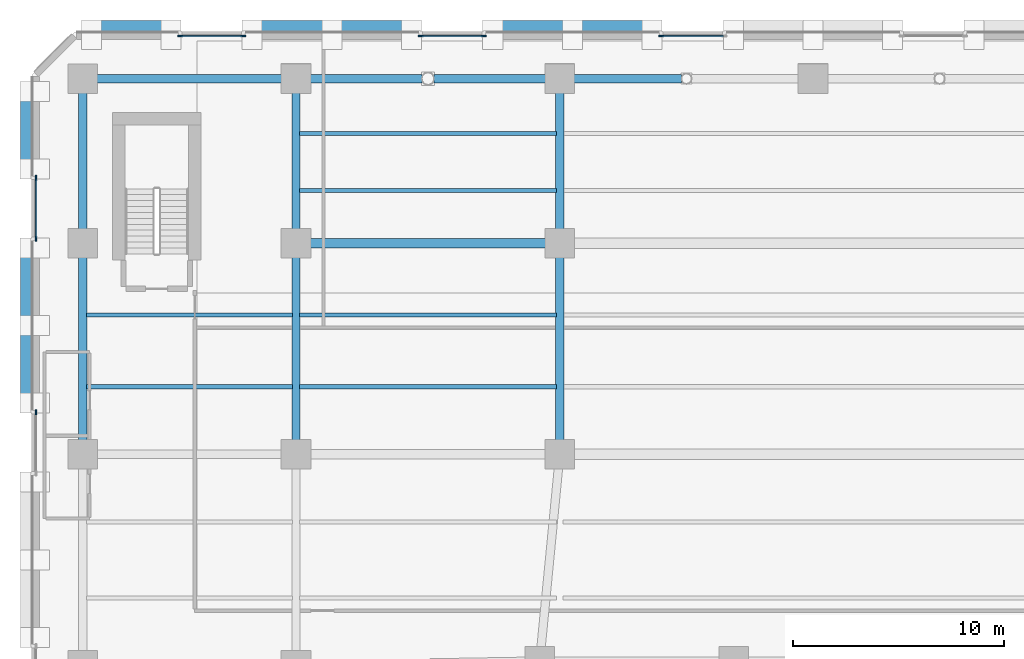
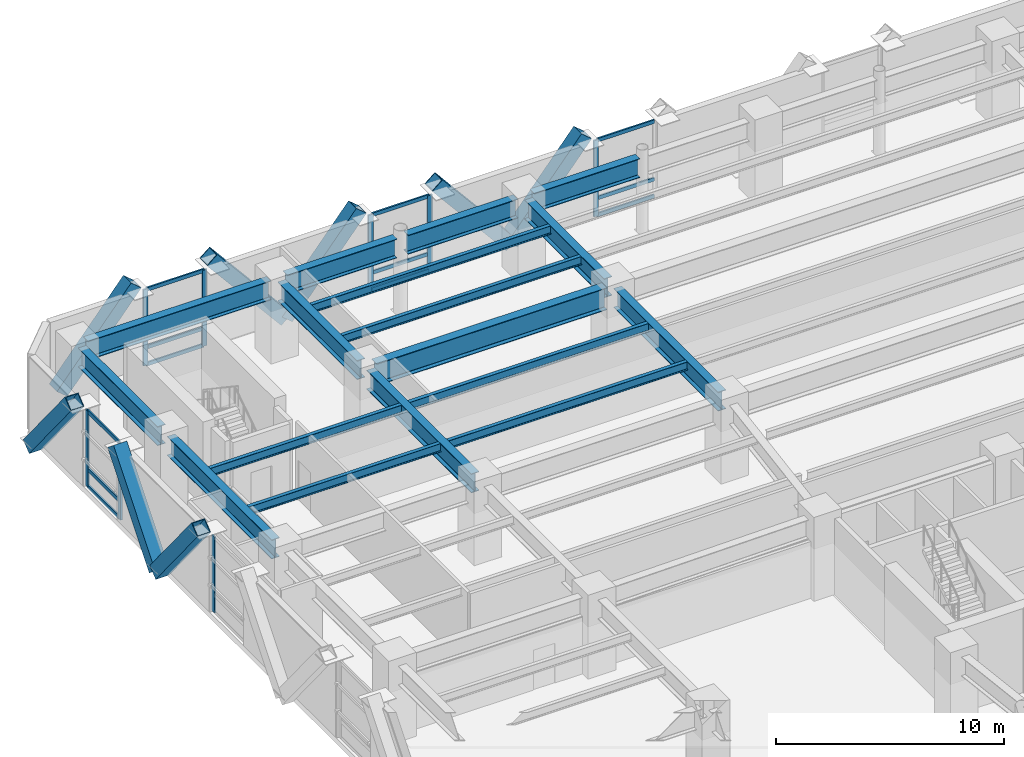
# One storey, part 8 of 26: 28 members, 17 beams, 5 elements without a shape of their own.
"""IFC4 building model written with IfcOpenShell, lengths in metres."""

from ifc_helpers import new_model, si_unit, direction, frame, origin, origin_2d, place, context, subcontext, project, spatial, rectangle, hollow_rectangle, i_section, extrude, material, material_profile, profile_set, type_object, element, aggregate, save


model = new_model("IFC4")

# Units and contexts
model_context = context("Model", 3, precision=1e-05, world=origin(), true_north=direction((0.0, 1.0)))
body_context = subcontext(model_context, "Body", "Model", "MODEL_VIEW")
ifc_project = project(units=[si_unit("LENGTHUNIT", "METRE"), si_unit("AREAUNIT", "SQUARE_METRE"), si_unit("VOLUMEUNIT", "CUBIC_METRE"), si_unit("PLANEANGLEUNIT", "RADIAN"), si_unit("MASSUNIT", "GRAM", prefix="KILO")], contexts=[model_context])

# Site, building, storey
site_placement = place(None, origin())
site = spatial("IfcSite", under=ifc_project, at=site_placement, CompositionType="ELEMENT")
building_placement = place(site_placement, origin())
building = spatial("IfcBuilding", under=site, at=building_placement, Name="Quenlor Broadcast Tower", CompositionType="ELEMENT")
storey_placement = place(building_placement, frame((0.0, 0.0, 18.5)))
storey = spatial("IfcBuildingStorey", under=building, at=storey_placement, Name="L04", CompositionType="ELEMENT", Elevation=18.5)

# Curtain wall, members
ifc_material_1 = material(Name="Architectural Terracotta and Low-E Glazing", Category="masonry")
curtain_wall_type = type_object("IfcCurtainWallType", Name="Station Concourse and Crown Terracotta Curtain Wall", PredefinedType="NOTDEFINED", material=ifc_material_1)
curtain_wall_1_placement = place(storey_placement, origin())
curtain_wall_1 = element("IfcCurtainWall", 1, at=curtain_wall_1_placement, inside=storey, type_object=curtain_wall_type, Name="L04 Curtain Wall CW6 (L04-N-FULL-G1)", PredefinedType="NOTDEFINED")
ifc_material_2 = material(Name="Aluminium 6063-T6", Category="aluminium")
ifc_material_profile_1 = material_profile(ifc_material_2, rectangle(XDim=0.08203125, YDim=0.239990234375, at=origin_2d()))
ifc_profile_set_1 = profile_set([ifc_material_profile_1], Name="Aluminium 6063-T6 MULL82x240")
member_type_1 = type_object("IfcMemberType", Name="CW6 Aluminium Mullion MULL_CW6", PredefinedType="MULLION", material=ifc_profile_set_1)
member_1_placement = place(storey_placement, frame((-29.993896484375, 24.820068359375, 0.0), z_axis=(0.0, 0.0, 1.0), x_axis=(0.0, 1.0, 0.0)))
member_1 = element("IfcMember", 2, at=member_1_placement, type_object=member_type_1, Name="CW6 mullion 1", PredefinedType="MULLION", context=body_context, shape_type="SweptSolid", body=[
    extrude(rectangle(XDim=0.08203125, YDim=0.239990234375, at=origin_2d()), origin(), (0.0, 0.0, 1.0), 4.080078125),
])
member_2_placement = place(storey_placement, frame((-27.006103515625, 24.820068359375, 0.0), z_axis=(0.0, 0.0, 1.0), x_axis=(0.0, 1.0, 0.0)))
member_2 = element("IfcMember", 3, at=member_2_placement, type_object=member_type_1, Name="CW6 mullion 2", PredefinedType="MULLION", context=body_context, shape_type="SweptSolid", body=[
    extrude(rectangle(XDim=0.08203125, YDim=0.239990234375, at=origin_2d()), origin(), (0.0, 0.0, 1.0), 4.080078125),
])

curtain_wall_2_placement = place(storey_placement, origin())
curtain_wall_2 = element("IfcCurtainWall", 4, at=curtain_wall_2_placement, inside=storey, type_object=curtain_wall_type, Name="L04 Curtain Wall CW6 (L04-N-FULL-G2)", PredefinedType="NOTDEFINED")
member_3_placement = place(storey_placement, frame((-18.593994140625, 24.820068359375, 0.0), z_axis=(0.0, 0.0, 1.0), x_axis=(0.0, 1.0, 0.0)))
member_3 = element("IfcMember", 5, at=member_3_placement, type_object=member_type_1, Name="CW6 mullion 1", PredefinedType="MULLION", context=body_context, shape_type="SweptSolid", body=[
    extrude(rectangle(XDim=0.08203125, YDim=0.239990234375, at=origin_2d()), origin(), (0.0, 0.0, 1.0), 4.080078125),
])
member_4_placement = place(storey_placement, frame((-15.606201171875, 24.820068359375, 0.0), z_axis=(0.0, 0.0, 1.0), x_axis=(0.0, 1.0, 0.0)))
member_4 = element("IfcMember", 6, at=member_4_placement, type_object=member_type_1, Name="CW6 mullion 2", PredefinedType="MULLION", context=body_context, shape_type="SweptSolid", body=[
    extrude(rectangle(XDim=0.08203125, YDim=0.239990234375, at=origin_2d()), origin(), (0.0, 0.0, 1.0), 4.080078125),
])

# Curtain wall, member
curtain_wall_3_placement = place(storey_placement, origin())
curtain_wall_3 = element("IfcCurtainWall", 7, at=curtain_wall_3_placement, inside=storey, type_object=curtain_wall_type, Name="L04 Curtain Wall CW6 (L04-N-FULL-G3)", PredefinedType="NOTDEFINED")
member_5_placement = place(storey_placement, frame((-7.19384765625, 24.820068359375, 0.0), z_axis=(0.0, 0.0, 1.0), x_axis=(0.0, 1.0, 0.0)))
member_5 = element("IfcMember", 8, at=member_5_placement, type_object=member_type_1, Name="CW6 mullion 1", PredefinedType="MULLION", context=body_context, shape_type="SweptSolid", body=[
    extrude(rectangle(XDim=0.08203125, YDim=0.239990234375, at=origin_2d()), origin(), (0.0, 0.0, 1.0), 4.080078125),
])

curtain_wall_4_placement = place(storey_placement, origin())
curtain_wall_4 = element("IfcCurtainWall", 9, at=curtain_wall_4_placement, inside=storey, type_object=curtain_wall_type, Name="L04 Curtain Wall CW6 (L04-W-FULL-G3)", PredefinedType="NOTDEFINED")
member_6_placement = place(storey_placement, frame((-36.820068359375, 6.99365234375, 0.0), z_axis=(0.0, 0.0, 1.0), x_axis=(-1.0, 0.0, 0.0)))
member_6 = element("IfcMember", 10, at=member_6_placement, type_object=member_type_1, Name="CW6 mullion 2", PredefinedType="MULLION", context=body_context, shape_type="SweptSolid", body=[
    extrude(rectangle(XDim=0.08203125, YDim=0.239990234375, at=origin_2d()), origin(), (0.0, 0.0, 1.0), 4.080078125),
])
aggregate(curtain_wall_4, [member_6])

# Curtain wall, members
curtain_wall_5_placement = place(storey_placement, origin())
curtain_wall_5 = element("IfcCurtainWall", 11, at=curtain_wall_5_placement, inside=storey, type_object=curtain_wall_type, Name="L04 Curtain Wall CW6 (L04-W-FULL-G4)", PredefinedType="NOTDEFINED")
member_7_placement = place(storey_placement, frame((-36.820068359375, 15.206298828125, 0.0), z_axis=(0.0, 0.0, 1.0), x_axis=(-1.0, 0.0, 0.0)))
member_7 = element("IfcMember", 12, at=member_7_placement, type_object=member_type_1, Name="CW6 mullion 1", PredefinedType="MULLION", context=body_context, shape_type="SweptSolid", body=[
    extrude(rectangle(XDim=0.08203125, YDim=0.239990234375, at=origin_2d()), origin(), (0.0, 0.0, 1.0), 4.080078125),
])
member_8_placement = place(storey_placement, frame((-36.820068359375, 18.093505859375, 0.0), z_axis=(0.0, 0.0, 1.0), x_axis=(-1.0, 0.0, 0.0)))
member_8 = element("IfcMember", 13, at=member_8_placement, type_object=member_type_1, Name="CW6 mullion 2", PredefinedType="MULLION", context=body_context, shape_type="SweptSolid", body=[
    extrude(rectangle(XDim=0.08203125, YDim=0.239990234375, at=origin_2d()), origin(), (0.0, 0.0, 1.0), 4.080078125),
])

# Member
ifc_material_3 = material(Name="Aluminium 6063-T6", Category="aluminium")
ifc_material_profile_2 = material_profile(ifc_material_3, rectangle(XDim=0.08203125, YDim=0.195068359375, at=origin_2d()))
ifc_profile_set_2 = profile_set([ifc_material_profile_2], Name="Aluminium 6063-T6 TRAN82x195")
member_type_2 = type_object("IfcMemberType", Name="CW6 Aluminium Transom TRAN_CW6", PredefinedType="USERDEFINED", material=ifc_profile_set_2)
member_9_placement = place(storey_placement, frame((-29.952880859375, 24.820068359375, 0.041015625), z_axis=(1.0, 0.0, 0.0), x_axis=(0.0, 1.0, 0.0)))
member_9 = element("IfcMember", 14, at=member_9_placement, type_object=member_type_2, Name="CW6 transom 1.1", ObjectType="TRANSOM", PredefinedType="USERDEFINED", context=body_context, shape_type="SweptSolid", body=[
    extrude(rectangle(XDim=0.08203125, YDim=0.195068359375, at=origin_2d()), origin(), (0.0, 0.0, 1.0), 2.90576171875),
])

member_10_placement = place(storey_placement, frame((-29.952880859375, 24.820068359375, 0.949951171875), z_axis=(1.0, 0.0, 0.0), x_axis=(0.0, 1.0, 0.0)))
member_10 = element("IfcMember", 15, at=member_10_placement, type_object=member_type_2, Name="CW6 transom 1.2", ObjectType="TRANSOM", PredefinedType="USERDEFINED", context=body_context, shape_type="SweptSolid", body=[
    extrude(rectangle(XDim=0.08203125, YDim=0.195068359375, at=origin_2d()), origin(), (0.0, 0.0, 1.0), 2.90576171875),
])

member_11_placement = place(storey_placement, frame((-29.952880859375, 24.820068359375, 4.0390625), z_axis=(1.0, 0.0, 0.0), x_axis=(0.0, 1.0, 0.0)))
member_11 = element("IfcMember", 16, at=member_11_placement, type_object=member_type_2, Name="CW6 transom 1.3", ObjectType="TRANSOM", PredefinedType="USERDEFINED", context=body_context, shape_type="SweptSolid", body=[
    extrude(rectangle(XDim=0.08203125, YDim=0.195068359375, at=origin_2d()), origin(), (0.0, 0.0, 1.0), 2.90576171875),
])

aggregate(curtain_wall_1, [member_1, member_2, member_9, member_10, member_11])

member_12_placement = place(storey_placement, frame((-18.552978515625, 24.820068359375, 0.041015625), z_axis=(1.0, 0.0, 0.0), x_axis=(0.0, 1.0, 0.0)))
member_12 = element("IfcMember", 17, at=member_12_placement, type_object=member_type_2, Name="CW6 transom 1.1", ObjectType="TRANSOM", PredefinedType="USERDEFINED", context=body_context, shape_type="SweptSolid", body=[
    extrude(rectangle(XDim=0.08203125, YDim=0.195068359375, at=origin_2d()), origin(), (0.0, 0.0, 1.0), 2.90576171875),
])

member_13_placement = place(storey_placement, frame((-18.552978515625, 24.820068359375, 0.949951171875), z_axis=(1.0, 0.0, 0.0), x_axis=(0.0, 1.0, 0.0)))
member_13 = element("IfcMember", 18, at=member_13_placement, type_object=member_type_2, Name="CW6 transom 1.2", ObjectType="TRANSOM", PredefinedType="USERDEFINED", context=body_context, shape_type="SweptSolid", body=[
    extrude(rectangle(XDim=0.08203125, YDim=0.195068359375, at=origin_2d()), origin(), (0.0, 0.0, 1.0), 2.90576171875),
])

member_14_placement = place(storey_placement, frame((-18.552978515625, 24.820068359375, 4.0390625), z_axis=(1.0, 0.0, 0.0), x_axis=(0.0, 1.0, 0.0)))
member_14 = element("IfcMember", 19, at=member_14_placement, type_object=member_type_2, Name="CW6 transom 1.3", ObjectType="TRANSOM", PredefinedType="USERDEFINED", context=body_context, shape_type="SweptSolid", body=[
    extrude(rectangle(XDim=0.08203125, YDim=0.195068359375, at=origin_2d()), origin(), (0.0, 0.0, 1.0), 2.90576171875),
])

aggregate(curtain_wall_2, [member_3, member_4, member_12, member_13, member_14])

member_15_placement = place(storey_placement, frame((-7.15283203125, 24.820068359375, 0.041015625), z_axis=(1.0, 0.0, 0.0), x_axis=(0.0, 1.0, 0.0)))
member_15 = element("IfcMember", 20, at=member_15_placement, type_object=member_type_2, Name="CW6 transom 1.1", ObjectType="TRANSOM", PredefinedType="USERDEFINED", context=body_context, shape_type="SweptSolid", body=[
    extrude(rectangle(XDim=0.08203125, YDim=0.195068359375, at=origin_2d()), origin(), (0.0, 0.0, 1.0), 2.90576171875),
])

member_16_placement = place(storey_placement, frame((-7.15283203125, 24.820068359375, 0.949951171875), z_axis=(1.0, 0.0, 0.0), x_axis=(0.0, 1.0, 0.0)))
member_16 = element("IfcMember", 21, at=member_16_placement, type_object=member_type_2, Name="CW6 transom 1.2", ObjectType="TRANSOM", PredefinedType="USERDEFINED", context=body_context, shape_type="SweptSolid", body=[
    extrude(rectangle(XDim=0.08203125, YDim=0.195068359375, at=origin_2d()), origin(), (0.0, 0.0, 1.0), 2.90576171875),
])

member_17_placement = place(storey_placement, frame((-7.15283203125, 24.820068359375, 4.0390625), z_axis=(1.0, 0.0, 0.0), x_axis=(0.0, 1.0, 0.0)))
member_17 = element("IfcMember", 22, at=member_17_placement, type_object=member_type_2, Name="CW6 transom 1.3", ObjectType="TRANSOM", PredefinedType="USERDEFINED", context=body_context, shape_type="SweptSolid", body=[
    extrude(rectangle(XDim=0.08203125, YDim=0.195068359375, at=origin_2d()), origin(), (0.0, 0.0, 1.0), 2.90576171875),
])

aggregate(curtain_wall_3, [member_5, member_15, member_16, member_17])

member_18_placement = place(storey_placement, frame((-36.820068359375, 15.247314453125, 0.041015625), z_axis=(0.0, 1.0, 0.0), x_axis=(-1.0, 0.0, 0.0)))
member_18 = element("IfcMember", 23, at=member_18_placement, type_object=member_type_2, Name="CW6 transom 1.1", ObjectType="TRANSOM", PredefinedType="USERDEFINED", context=body_context, shape_type="SweptSolid", body=[
    extrude(rectangle(XDim=0.08203125, YDim=0.195068359375, at=origin_2d()), origin(), (0.0, 0.0, 1.0), 2.80517578125),
])

member_19_placement = place(storey_placement, frame((-36.820068359375, 15.247314453125, 0.949951171875), z_axis=(0.0, 1.0, 0.0), x_axis=(-1.0, 0.0, 0.0)))
member_19 = element("IfcMember", 24, at=member_19_placement, type_object=member_type_2, Name="CW6 transom 1.2", ObjectType="TRANSOM", PredefinedType="USERDEFINED", context=body_context, shape_type="SweptSolid", body=[
    extrude(rectangle(XDim=0.08203125, YDim=0.195068359375, at=origin_2d()), origin(), (0.0, 0.0, 1.0), 2.80517578125),
])

member_20_placement = place(storey_placement, frame((-36.820068359375, 15.247314453125, 4.0390625), z_axis=(0.0, 1.0, 0.0), x_axis=(-1.0, 0.0, 0.0)))
member_20 = element("IfcMember", 25, at=member_20_placement, type_object=member_type_2, Name="CW6 transom 1.3", ObjectType="TRANSOM", PredefinedType="USERDEFINED", context=body_context, shape_type="SweptSolid", body=[
    extrude(rectangle(XDim=0.08203125, YDim=0.195068359375, at=origin_2d()), origin(), (0.0, 0.0, 1.0), 2.80517578125),
])

aggregate(curtain_wall_5, [member_7, member_8, member_18, member_19, member_20])

# Members
ifc_material_4 = material(Name="Steel S355", Category="steel")
ifc_material_profile_3 = material_profile(ifc_material_4, hollow_rectangle(XDim=0.679931640625, YDim=0.679931640625, WallThickness=0.034912109375, at=origin_2d()))
ifc_profile_set_3 = profile_set([ifc_material_profile_3], Name="Steel S355 RHS680x680x35")
member_type_3 = type_object("IfcMemberType", Name="Perimeter Diagonal Lattice Brace Z1 Steel S355 RHS680x35", PredefinedType="BRACE", material=ifc_profile_set_3)
for number, where, z_axis, x_axis, name in (
    (26, (-34.17724609375, 25.215087890625, -0.1201171875), (0.640626831312, 0.0, 0.767852370578), (0.0, 1.0, 0.0), "L04 Podium Diamond Lattice N-P1S"),
    (27, (-22.82275390625, 25.215087890625, -0.1201171875), (-0.640626831312, 0.0, 0.767852370578), (0.0, -1.0, 0.0), "L04 Podium Diamond Lattice N-P1B"),
    (28, (-22.777099609375, 25.215087890625, -0.1201171875), (0.640626831312, 0.0, 0.767852370578), (0.0, 1.0, 0.0), "L04 Podium Diamond Lattice N-P2S"),
    (29, (-11.4228515625, 25.215087890625, -0.1201171875), (-0.640626831312, 0.0, 0.767852370578), (0.0, -1.0, 0.0), "L04 Podium Diamond Lattice N-P2B"),
    (30, (-11.377197265625, 25.215087890625, -0.1201171875), (0.640626831312, 0.0, 0.767852370578), (0.0, 1.0, 0.0), "L04 Podium Diamond Lattice N-P3S"),
):
    element("IfcMember", number, at=place(storey_placement, frame(where, z_axis=z_axis, x_axis=x_axis)), inside=storey, type_object=member_type_3, Name=name, PredefinedType="BRACE", context=body_context, shape_type="SweptSolid", body=[
        extrude(hollow_rectangle(XDim=0.679931640625, YDim=0.679931640625, WallThickness=0.034912109375, at=origin_2d()), origin(), (0.0, 0.0, 1.0), 5.860595703125),
    ])
member_21_placement = place(storey_placement, frame((-37.215087890625, 11.077880859375, -0.1201171875), z_axis=(0.0, -0.630541894648, 0.776155215851), x_axis=(1.0, 0.0, 0.0)))
element("IfcMember", 31, at=member_21_placement, inside=storey, type_object=member_type_3, Name="L04 Podium Diamond Lattice W-P3B", PredefinedType="BRACE", context=body_context, shape_type="SweptSolid", body=[
    extrude(hollow_rectangle(XDim=0.679931640625, YDim=0.679931640625, WallThickness=0.034912109375, at=origin_2d()), origin(), (0.0, 0.0, 1.0), 5.7978515625),
])
for number, where, z_axis, x_axis, name in (
    (32, (-37.215087890625, 11.122314453125, -0.1201171875), (0.0, 0.630516526394, 0.776175824117), (-1.0, 0.0, 0.0), "L04 Podium Diamond Lattice W-P4S"),
    (33, (-37.215087890625, 22.177734375, -0.1201171875), (0.0, -0.630516526394, 0.776175824117), (1.0, 0.0, 0.0), "L04 Podium Diamond Lattice W-P4B"),
):
    element("IfcMember", number, at=place(storey_placement, frame(where, z_axis=z_axis, x_axis=x_axis)), inside=storey, type_object=member_type_3, Name=name, PredefinedType="BRACE", context=body_context, shape_type="SweptSolid", body=[
        extrude(hollow_rectangle(XDim=0.679931640625, YDim=0.679931640625, WallThickness=0.034912109375, at=origin_2d()), origin(), (0.0, 0.0, 1.0), 5.797607421875),
    ])

# Beams
ifc_material_5 = material(Name="Steel S355", Category="steel")
ifc_material_profile_4 = material_profile(ifc_material_5, i_section(OverallWidth=0.39990234375, OverallDepth=1.02392578125, WebThickness=0.01611328125, FlangeThickness=0.031982421875, FilletRadius=0.01611328125, at=origin_2d()))
ifc_profile_set_4 = profile_set([ifc_material_profile_4], Name="Steel S355 1000WB322")
beam_type_1 = type_object("IfcBeamType", Name="Podium Concourse Girder Steel S355 1000WB322", PredefinedType="BEAM", material=ifc_profile_set_4)
beam_1_placement = place(storey_placement, frame((-34.179931640625, 22.800048828125, 3.568115234375), z_axis=(1.0, 0.0, 0.0), x_axis=(0.0, 1.0, 0.0)))
element("IfcBeam", 34, at=beam_1_placement, inside=storey, type_object=beam_type_1, Name="L04 Podium Girder 24", PredefinedType="BEAM", context=body_context, shape_type="SweptSolid", body=[
    extrude(i_section(OverallWidth=0.39990234375, OverallDepth=1.02392578125, WebThickness=0.01611328125, FlangeThickness=0.031982421875, FilletRadius=0.01611328125, at=origin_2d()), origin(), (0.0, 0.0, 1.0), 9.260009765625),
])
for number, where, z_axis, x_axis, name in (
    (35, (-24.080078125, 22.800048828125, 3.568115234375), (1.0, 0.0, 0.0), (0.0, 1.0, 0.0), "L04 Podium Girder 25"),
    (36, (-17.965087890625, 22.800048828125, 3.568115234375), (1.0, 0.0, 0.0), (0.0, 1.0, 0.0), "L04 Podium Girder 26"),
):
    element("IfcBeam", number, at=place(storey_placement, frame(where, z_axis=z_axis, x_axis=x_axis)), inside=storey, type_object=beam_type_1, Name=name, PredefinedType="BEAM", context=body_context, shape_type="SweptSolid", body=[
        extrude(i_section(OverallWidth=0.39990234375, OverallDepth=1.02392578125, WebThickness=0.01611328125, FlangeThickness=0.031982421875, FilletRadius=0.01611328125, at=origin_2d()), origin(), (0.0, 0.0, 1.0), 5.545166015625),
    ])
beam_2_placement = place(storey_placement, frame((-11.580078125, 22.800048828125, 3.568115234375), z_axis=(1.0, 0.0, 0.0), x_axis=(0.0, 1.0, 0.0)))
element("IfcBeam", 37, at=beam_2_placement, inside=storey, type_object=beam_type_1, Name="L04 Podium Girder 27", PredefinedType="BEAM", context=body_context, shape_type="SweptSolid", body=[
    extrude(i_section(OverallWidth=0.39990234375, OverallDepth=1.02392578125, WebThickness=0.01611328125, FlangeThickness=0.031982421875, FilletRadius=0.01611328125, at=origin_2d()), origin(), (0.0, 0.0, 1.0), 5.34619140625),
])
beam_3_placement = place(storey_placement, frame((-34.60009765625, 5.419921875, 3.568115234375), z_axis=(0.0, 1.0, 0.0), x_axis=(-1.0, 0.0, 0.0)))
element("IfcBeam", 38, at=beam_3_placement, inside=storey, type_object=beam_type_1, Name="L04 Podium Girder 37", PredefinedType="BEAM", context=body_context, shape_type="SweptSolid", body=[
    extrude(i_section(OverallWidth=0.39990234375, OverallDepth=1.02392578125, WebThickness=0.01611328125, FlangeThickness=0.031982421875, FilletRadius=0.01611328125, at=origin_2d()), origin(), (0.0, 0.0, 1.0), 9.16015625),
])
beam_4_placement = place(storey_placement, frame((-34.60009765625, 15.419921875, 3.568115234375), z_axis=(0.0, 1.0, 0.0), x_axis=(-1.0, 0.0, 0.0)))
element("IfcBeam", 39, at=beam_4_placement, inside=storey, type_object=beam_type_1, Name="L04 Podium Girder 38", PredefinedType="BEAM", context=body_context, shape_type="SweptSolid", body=[
    extrude(i_section(OverallWidth=0.39990234375, OverallDepth=1.02392578125, WebThickness=0.01611328125, FlangeThickness=0.031982421875, FilletRadius=0.01611328125, at=origin_2d()), origin(), (0.0, 0.0, 1.0), 6.9599609375),
])
beam_5_placement = place(storey_placement, frame((-24.5, 5.419921875, 3.568115234375), z_axis=(0.0, 1.0, 0.0), x_axis=(-1.0, 0.0, 0.0)))
element("IfcBeam", 40, at=beam_5_placement, inside=storey, type_object=beam_type_1, Name="L04 Podium Girder 42", PredefinedType="BEAM", context=body_context, shape_type="SweptSolid", body=[
    extrude(i_section(OverallWidth=0.39990234375, OverallDepth=1.02392578125, WebThickness=0.01611328125, FlangeThickness=0.031982421875, FilletRadius=0.01611328125, at=origin_2d()), origin(), (0.0, 0.0, 1.0), 9.16015625),
])
beam_6_placement = place(storey_placement, frame((-24.5, 15.419921875, 3.568115234375), z_axis=(0.0, 1.0, 0.0), x_axis=(-1.0, 0.0, 0.0)))
element("IfcBeam", 41, at=beam_6_placement, inside=storey, type_object=beam_type_1, Name="L04 Podium Girder 43", PredefinedType="BEAM", context=body_context, shape_type="SweptSolid", body=[
    extrude(i_section(OverallWidth=0.39990234375, OverallDepth=1.02392578125, WebThickness=0.01611328125, FlangeThickness=0.031982421875, FilletRadius=0.01611328125, at=origin_2d()), origin(), (0.0, 0.0, 1.0), 6.9599609375),
])
beam_7_placement = place(storey_placement, frame((-12.0, 5.419921875, 3.568115234375), z_axis=(0.0, 1.0, 0.0), x_axis=(-1.0, 0.0, 0.0)))
element("IfcBeam", 42, at=beam_7_placement, inside=storey, type_object=beam_type_1, Name="L04 Podium Girder 54", PredefinedType="BEAM", context=body_context, shape_type="SweptSolid", body=[
    extrude(i_section(OverallWidth=0.39990234375, OverallDepth=1.02392578125, WebThickness=0.01611328125, FlangeThickness=0.031982421875, FilletRadius=0.01611328125, at=origin_2d()), origin(), (0.0, 0.0, 1.0), 9.16015625),
])
beam_8_placement = place(storey_placement, frame((-12.0, 15.419921875, 3.568115234375), z_axis=(0.0, 1.0, 0.0), x_axis=(-1.0, 0.0, 0.0)))
element("IfcBeam", 43, at=beam_8_placement, inside=storey, type_object=beam_type_1, Name="L04 Podium Girder 55", PredefinedType="BEAM", context=body_context, shape_type="SweptSolid", body=[
    extrude(i_section(OverallWidth=0.39990234375, OverallDepth=1.02392578125, WebThickness=0.01611328125, FlangeThickness=0.031982421875, FilletRadius=0.01611328125, at=origin_2d()), origin(), (0.0, 0.0, 1.0), 6.9599609375),
])
ifc_material_6 = material(Name="Steel S355", Category="steel")
ifc_material_profile_5 = material_profile(ifc_material_6, i_section(OverallWidth=0.18994140625, OverallDepth=0.453857421875, WebThickness=0.008544921875, FlangeThickness=0.0126953125, FilletRadius=0.011474609375, at=origin_2d()))
ifc_profile_set_5 = profile_set([ifc_material_profile_5], Name="Steel S355 460UB67.1")
beam_type_2 = type_object("IfcBeamType", Name="Podium Floor Joist Steel S355 460UB67.1", PredefinedType="JOIST", material=ifc_profile_set_5)
beam_9_placement = place(storey_placement, frame((-34.43994140625, 8.199951171875, 3.85302734375), z_axis=(1.0, 0.0, 0.0), x_axis=(0.0, 1.0, 0.0)))
element("IfcBeam", 44, at=beam_9_placement, inside=storey, type_object=beam_type_2, Name="L04 Podium Floor Joist 1", PredefinedType="JOIST", context=body_context, shape_type="SweptSolid", body=[
    extrude(i_section(OverallWidth=0.18994140625, OverallDepth=0.453857421875, WebThickness=0.008544921875, FlangeThickness=0.0126953125, FilletRadius=0.011474609375, at=origin_2d()), origin(), (0.0, 0.0, 1.0), 9.780029296875),
])
beam_10_placement = place(storey_placement, frame((-24.340087890625, 8.199951171875, 3.85302734375), z_axis=(1.0, 0.0, 0.0), x_axis=(0.0, 1.0, 0.0)))
element("IfcBeam", 45, at=beam_10_placement, inside=storey, type_object=beam_type_2, Name="L04 Podium Floor Joist 2", PredefinedType="JOIST", context=body_context, shape_type="SweptSolid", body=[
    extrude(i_section(OverallWidth=0.18994140625, OverallDepth=0.453857421875, WebThickness=0.008544921875, FlangeThickness=0.0126953125, FilletRadius=0.011474609375, at=origin_2d()), origin(), (0.0, 0.0, 1.0), 12.18017578125),
])
beam_11_placement = place(storey_placement, frame((-34.43994140625, 11.60009765625, 3.85302734375), z_axis=(1.0, 0.0, 0.0), x_axis=(0.0, 1.0, 0.0)))
element("IfcBeam", 46, at=beam_11_placement, inside=storey, type_object=beam_type_2, Name="L04 Podium Floor Joist 6", PredefinedType="JOIST", context=body_context, shape_type="SweptSolid", body=[
    extrude(i_section(OverallWidth=0.18994140625, OverallDepth=0.453857421875, WebThickness=0.008544921875, FlangeThickness=0.0126953125, FilletRadius=0.011474609375, at=origin_2d()), origin(), (0.0, 0.0, 1.0), 9.780029296875),
])
for number, where, z_axis, x_axis, name in (
    (47, (-24.340087890625, 11.60009765625, 3.85302734375), (1.0, 0.0, 0.0), (0.0, 1.0, 0.0), "L04 Podium Floor Joist 7"),
    (48, (-24.340087890625, 17.5, 3.85302734375), (1.0, 0.0, 0.0), (0.0, 1.0, 0.0), "L04 Podium Floor Joist 12"),
    (49, (-24.340087890625, 20.199951171875, 3.85302734375), (1.0, 0.0, 0.0), (0.0, 1.0, 0.0), "L04 Podium Floor Joist 17"),
):
    element("IfcBeam", number, at=place(storey_placement, frame(where, z_axis=z_axis, x_axis=x_axis)), inside=storey, type_object=beam_type_2, Name=name, PredefinedType="JOIST", context=body_context, shape_type="SweptSolid", body=[
        extrude(i_section(OverallWidth=0.18994140625, OverallDepth=0.453857421875, WebThickness=0.008544921875, FlangeThickness=0.0126953125, FilletRadius=0.011474609375, at=origin_2d()), origin(), (0.0, 0.0, 1.0), 12.18017578125),
    ])
ifc_material_7 = material(Name="Steel S355", Category="steel")
ifc_material_profile_6 = material_profile(ifc_material_7, i_section(OverallWidth=0.449951171875, OverallDepth=1.18798828125, WebThickness=0.01806640625, FlangeThickness=0.031982421875, FilletRadius=0.01611328125, at=origin_2d()))
ifc_profile_set_6 = profile_set([ifc_material_profile_6], Name="Steel S355 1200WB392")
beam_type_3 = type_object("IfcBeamType", Name="Podium Secondary Studio Girder Steel S355 1200WB392", PredefinedType="BEAM", material=ifc_profile_set_6)
beam_12_placement = place(storey_placement, frame((-24.080078125, 15.0, 3.486083984375), z_axis=(1.0, 0.0, 0.0), x_axis=(0.0, 1.0, 0.0)))
element("IfcBeam", 50, at=beam_12_placement, inside=storey, type_object=beam_type_3, Name="L04 Podium Girder 20", PredefinedType="BEAM", context=body_context, shape_type="SweptSolid", body=[
    extrude(i_section(OverallWidth=0.449951171875, OverallDepth=1.18798828125, WebThickness=0.01806640625, FlangeThickness=0.031982421875, FilletRadius=0.01611328125, at=origin_2d()), origin(), (0.0, 0.0, 1.0), 11.66015625),
])

save(model, "model.ifc")
